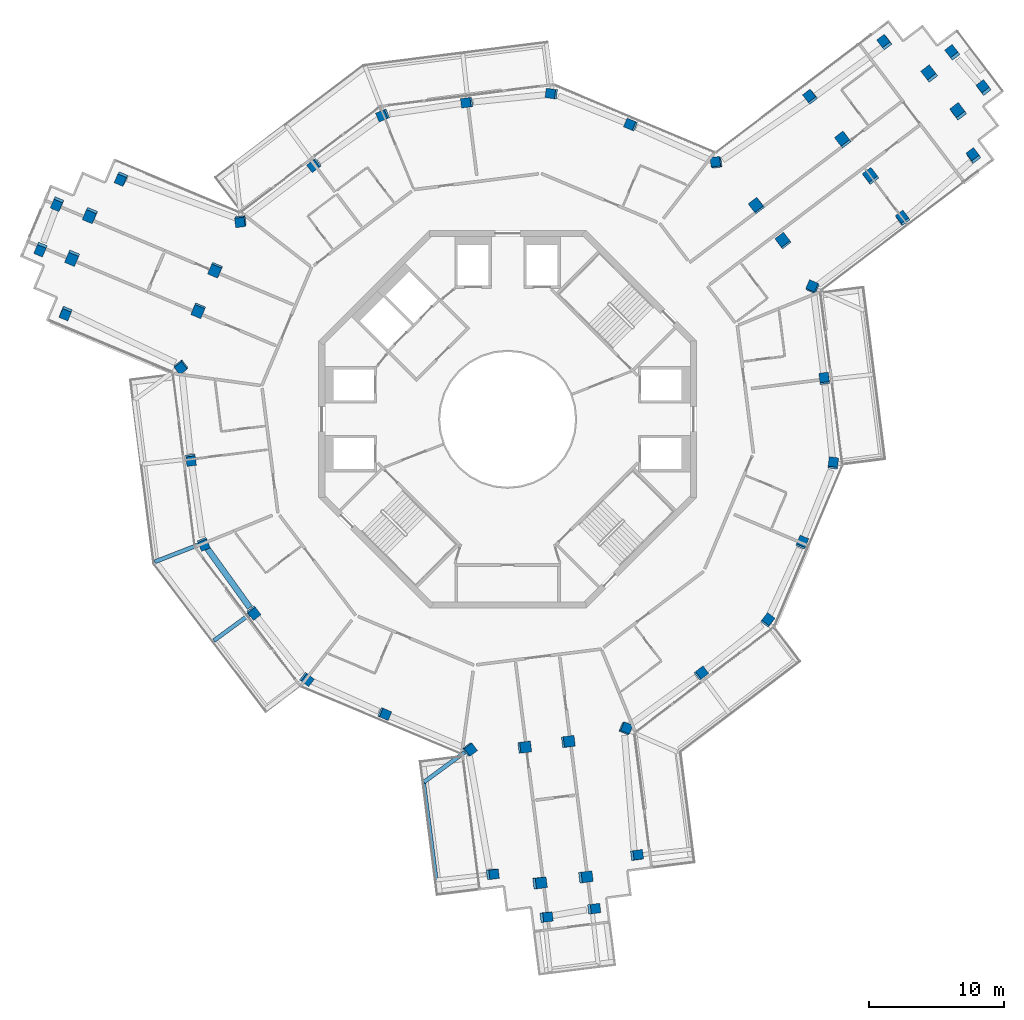
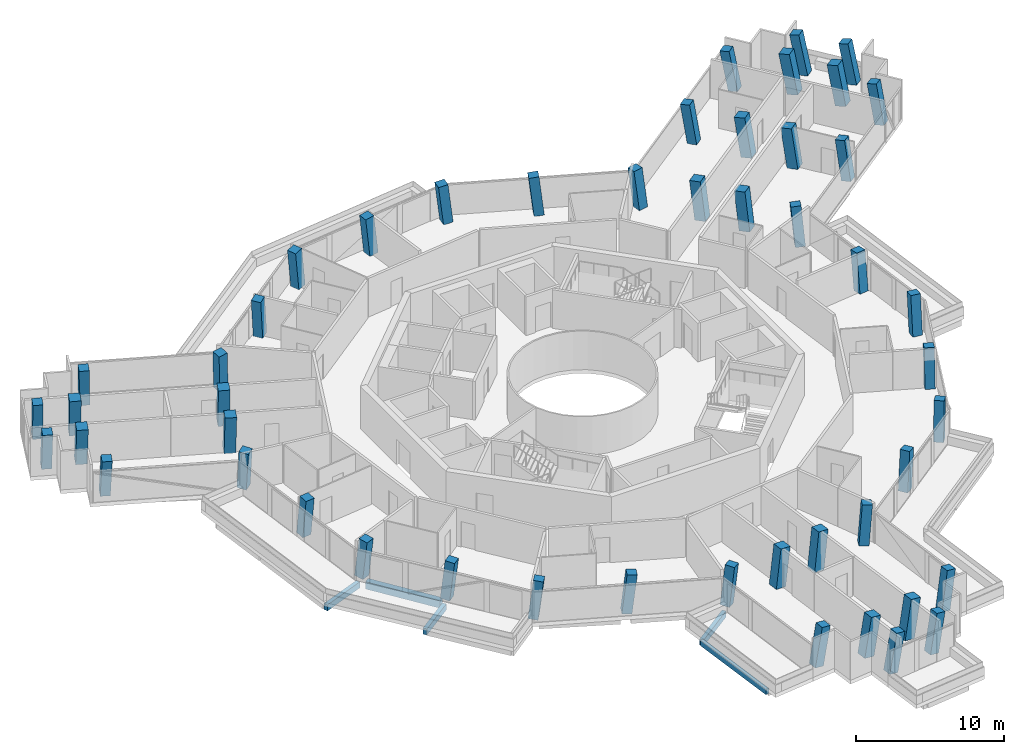
# One storey, part 1 of 26: 49 columns, 5 beams.
"""IFC4 building model written with IfcOpenShell, lengths in metres."""

from ifc_helpers import new_model, si_unit, direction, frame, origin, origin_2d, place, context, subcontext, project, spatial, rectangle, extrude, material, material_profile, profile_set, type_object, element, save


model = new_model("IFC4")

# Units and contexts
model_context = context("Model", 3, precision=1e-05, world=origin(), true_north=direction((0.0, 1.0)))
body_context = subcontext(model_context, "Body", "Model", "MODEL_VIEW")
ifc_project = project(units=[si_unit("LENGTHUNIT", "METRE"), si_unit("AREAUNIT", "SQUARE_METRE"), si_unit("VOLUMEUNIT", "CUBIC_METRE"), si_unit("PLANEANGLEUNIT", "RADIAN"), si_unit("MASSUNIT", "GRAM", prefix="KILO")], contexts=[model_context])

# Site, building, storey
site_placement = place(None, origin())
site = spatial("IfcSite", under=ifc_project, at=site_placement, CompositionType="ELEMENT")
building_placement = place(site_placement, origin())
building = spatial("IfcBuilding", under=site, at=building_placement, Name="Verdalira Terraces Hotel", CompositionType="ELEMENT")
storey_placement = place(building_placement, frame((0.0, 0.0, 306.5)))
storey = spatial("IfcBuildingStorey", under=building, at=storey_placement, Name="L76", CompositionType="ELEMENT", Elevation=306.5)

# Columns
ifc_material_1 = material(Name="Concrete C50", Category="concrete")
ifc_material_profile_1 = material_profile(ifc_material_1, rectangle(XDim=0.699951, YDim=0.699951, at=origin_2d()), Name="RC 700X700")
ifc_profile_set_1 = profile_set([ifc_material_profile_1], Name="Concrete C50")
column_type_1 = type_object("IfcColumnType", Name="Column RC 700X700 C50", PredefinedType="COLUMN", material=ifc_profile_set_1)
column_1_placement = place(storey_placement, frame((-28.588379, 17.885986, 0.0), z_axis=(-0.089741972, -0.133253232, 0.987010615), x_axis=(-0.919439423, 0.392033724, -0.030670943)))
element("IfcColumn", 1, at=column_1_placement, inside=storey, type_object=column_type_1, Name="Column C01", PredefinedType="COLUMN", context=body_context, shape_type="SweptSolid", body=[
    extrude(rectangle(XDim=0.699951, YDim=0.699951, at=origin_2d()), origin(), (0.0, 0.0, 1.0), 3.231934),
])
column_2_placement = place(storey_placement, frame((-32.729004, 7.932861, 0.0), z_axis=(-0.042545473, -0.152498694, 0.987387478), x_axis=(0.922857355, -0.384640757, -0.01964154)))
element("IfcColumn", 2, at=column_2_placement, inside=storey, type_object=column_type_1, Name="Column C02", PredefinedType="COLUMN", context=body_context, shape_type="SweptSolid", body=[
    extrude(rectangle(XDim=0.699951, YDim=0.699951, at=origin_2d()), origin(), (0.0, 0.0, 1.0), 3.230713),
])
column_3_placement = place(storey_placement, frame((-24.201172, 3.925049, 0.0), z_axis=(-0.017634942, -0.115235223, 0.993181681), x_axis=(-0.608468892, 0.789454253, 0.0807935)))
element("IfcColumn", 3, at=column_3_placement, inside=storey, type_object=column_type_1, Name="Column C03", PredefinedType="COLUMN", context=body_context, shape_type="SweptSolid", body=[
    extrude(rectangle(XDim=0.699951, YDim=0.699951, at=origin_2d()), origin(), (0.0, 0.0, 1.0), 3.211914),
])
column_4_placement = place(storey_placement, frame((-23.47168, -2.965088, 0.0), z_axis=(0.014981476, -0.111562563, 0.993644479), x_axis=(0.123885828, -0.985891755, -0.112559981)))
element("IfcColumn", 4, at=column_4_placement, inside=storey, type_object=column_type_1, Name="Column C04", PredefinedType="COLUMN", context=body_context, shape_type="SweptSolid", body=[
    extrude(rectangle(XDim=0.699951, YDim=0.699951, at=origin_2d()), origin(), (0.0, 0.0, 1.0), 3.210449),
])
column_5_placement = place(storey_placement, frame((-22.543213, -9.199707, 0.0), z_axis=(0.044699629, -0.106807786, 0.993274403), x_axis=(-0.375670486, 0.91949262, 0.115779992)))
element("IfcColumn", 5, at=column_5_placement, inside=storey, type_object=column_type_1, Name="Column C05", PredefinedType="COLUMN", context=body_context, shape_type="SweptSolid", body=[
    extrude(rectangle(XDim=0.699951, YDim=0.699951, at=origin_2d()), origin(), (0.0, 0.0, 1.0), 3.211426),
])
column_6_placement = place(storey_placement, frame((-18.844482, -14.303711, 0.0), z_axis=(0.068747968, -0.089052954, 0.993651492), x_axis=(0.600506692, -0.791666534, -0.112498053)))
element("IfcColumn", 6, at=column_6_placement, inside=storey, type_object=column_type_1, Name="Column C06", PredefinedType="COLUMN", context=body_context, shape_type="SweptSolid", body=[
    extrude(rectangle(XDim=0.699951, YDim=0.699951, at=origin_2d()), origin(), (0.0, 0.0, 1.0), 3.210205),
])
column_7_placement = place(storey_placement, frame((-14.923096, -19.23877, 0.0), z_axis=(0.092135676, -0.07016603, 0.993271235), x_axis=(-0.785076565, 0.608476364, 0.11580717)))
element("IfcColumn", 7, at=column_7_placement, inside=storey, type_object=column_type_1, Name="Column C07", PredefinedType="COLUMN", context=body_context, shape_type="SweptSolid", body=[
    extrude(rectangle(XDim=0.699951, YDim=0.699951, at=origin_2d()), origin(), (0.0, 0.0, 1.0), 3.21167),
])
column_8_placement = place(storey_placement, frame((-9.167969, -21.809814, 0.0), z_axis=(0.104110118, -0.042739143, 0.993647044), x_axis=(0.915971714, -0.385137856, -0.11253733)))
element("IfcColumn", 8, at=column_8_placement, inside=storey, type_object=column_type_1, Name="Column C08", PredefinedType="COLUMN", context=body_context, shape_type="SweptSolid", body=[
    extrude(rectangle(XDim=0.699951, YDim=0.699951, at=origin_2d()), origin(), (0.0, 0.0, 1.0), 3.210449),
])
column_9_placement = place(storey_placement, frame((-2.856445, -24.462891, 0.0), z_axis=(0.116368879, -0.012617396, 0.993125916), x_axis=(-0.59706483, 0.798183786, 0.08010139)))
element("IfcColumn", 9, at=column_9_placement, inside=storey, type_object=column_type_1, Name="Column C09", PredefinedType="COLUMN", context=body_context, shape_type="SweptSolid", body=[
    extrude(rectangle(XDim=0.699951, YDim=0.699951, at=origin_2d()), origin(), (0.0, 0.0, 1.0), 3.211914),
])
column_10_placement = place(storey_placement, frame((-1.195557, -33.701416, 0.0), z_axis=(0.160296023, -0.01110439, 0.987006523), x_axis=(0.120143127, -0.992282534, -0.030675742)))
element("IfcColumn", 10, at=column_10_placement, inside=storey, type_object=column_type_1, Name="Column C10", PredefinedType="COLUMN", context=body_context, shape_type="SweptSolid", body=[
    extrude(rectangle(XDim=0.699951, YDim=0.699951, at=origin_2d()), origin(), (0.0, 0.0, 1.0), 3.231934),
])
column_11_placement = place(storey_placement, frame((2.775391, -36.888916, 0.0), z_axis=(0.174674077, 0.007836973, 0.984595119), x_axis=(0.97659799, 0.126056631, -0.174258689)))
element("IfcColumn", 11, at=column_11_placement, inside=storey, type_object=column_type_1, Name="Column C11", PredefinedType="COLUMN", context=body_context, shape_type="SweptSolid", body=[
    extrude(rectangle(XDim=0.699951, YDim=0.699951, at=origin_2d()), origin(), (0.0, 0.0, 1.0), 3.239746),
])
column_12_placement = place(storey_placement, frame((6.306885, -36.281494, 0.0), z_axis=(0.171776732, 0.024421089, 0.984833166), x_axis=(0.977145358, 0.122845175, -0.173482023)))
element("IfcColumn", 12, at=column_12_placement, inside=storey, type_object=column_type_1, Name="Column C12", PredefinedType="COLUMN", context=body_context, shape_type="SweptSolid", body=[
    extrude(rectangle(XDim=0.699951, YDim=0.699951, at=origin_2d()), origin(), (0.0, 0.0, 1.0), 3.239014),
])
column_13_placement = place(storey_placement, frame((9.494385, -32.310791, 0.0), z_axis=(0.153329941, 0.039447131, 0.987387388), x_axis=(-0.128598752, 0.991502178, -0.019641609)))
element("IfcColumn", 13, at=column_13_placement, inside=storey, type_object=column_type_1, Name="Column C13", PredefinedType="COLUMN", context=body_context, shape_type="SweptSolid", body=[
    extrude(rectangle(XDim=0.699951, YDim=0.699951, at=origin_2d()), origin(), (0.0, 0.0, 1.0), 3.230713),
])
column_14_placement = place(storey_placement, frame((8.701416, -22.921387, 0.0), z_axis=(0.108622054, 0.042339037, 0.993181079), x_axis=(-0.3795216, -0.921648084, 0.080797057)))
element("IfcColumn", 14, at=column_14_placement, inside=storey, type_object=column_type_1, Name="Column C14", PredefinedType="COLUMN", context=body_context, shape_type="SweptSolid", body=[
    extrude(rectangle(XDim=0.699951, YDim=0.699951, at=origin_2d()), origin(), (0.0, 0.0, 1.0), 3.211914),
])
column_15_placement = place(storey_placement, frame((14.303711, -18.844482, 0.0), z_axis=(0.089052954, 0.068747968, 0.993651492), x_axis=(0.791666534, 0.600506692, -0.112498053)))
element("IfcColumn", 15, at=column_15_placement, inside=storey, type_object=column_type_1, Name="Column C15", PredefinedType="COLUMN", context=body_context, shape_type="SweptSolid", body=[
    extrude(rectangle(XDim=0.699951, YDim=0.699951, at=origin_2d()), origin(), (0.0, 0.0, 1.0), 3.210205),
])
column_16_placement = place(storey_placement, frame((19.23877, -14.923096, 0.0), z_axis=(0.07016603, 0.092135676, 0.993271235), x_axis=(-0.608476364, -0.785076565, 0.11580717)))
element("IfcColumn", 16, at=column_16_placement, inside=storey, type_object=column_type_1, Name="Column C16", PredefinedType="COLUMN", context=body_context, shape_type="SweptSolid", body=[
    extrude(rectangle(XDim=0.699951, YDim=0.699951, at=origin_2d()), origin(), (0.0, 0.0, 1.0), 3.21167),
])
column_17_placement = place(storey_placement, frame((21.809814, -9.167969, 0.0), z_axis=(0.042739143, 0.104110118, 0.993647044), x_axis=(0.385137856, 0.915971714, -0.11253733)))
element("IfcColumn", 17, at=column_17_placement, inside=storey, type_object=column_type_1, Name="Column C17", PredefinedType="COLUMN", context=body_context, shape_type="SweptSolid", body=[
    extrude(rectangle(XDim=0.699951, YDim=0.699951, at=origin_2d()), origin(), (0.0, 0.0, 1.0), 3.210449),
])
column_18_placement = place(storey_placement, frame((24.122803, -3.304443, 0.0), z_axis=(0.014747795, 0.114865555, 0.993271568), x_axis=(-0.134849795, -0.984075654, 0.115804315)))
element("IfcColumn", 18, at=column_18_placement, inside=storey, type_object=column_type_1, Name="Column C18", PredefinedType="COLUMN", context=body_context, shape_type="SweptSolid", body=[
    extrude(rectangle(XDim=0.699951, YDim=0.699951, at=origin_2d()), origin(), (0.0, 0.0, 1.0), 3.21167),
])
column_19_placement = place(storey_placement, frame((23.47168, 2.965088, 0.0), z_axis=(-0.014981476, 0.111562563, 0.993644479), x_axis=(-0.123885828, 0.985891755, -0.112559981)))
element("IfcColumn", 19, at=column_19_placement, inside=storey, type_object=column_type_1, Name="Column C19", PredefinedType="COLUMN", context=body_context, shape_type="SweptSolid", body=[
    extrude(rectangle(XDim=0.699951, YDim=0.699951, at=origin_2d()), origin(), (0.0, 0.0, 1.0), 3.210449),
])
column_20_placement = place(storey_placement, frame((22.61377, 9.757568, 0.0), z_axis=(-0.047276759, 0.107170788, 0.99311597), x_axis=(-0.392843879, -0.916104908, 0.080159117)))
element("IfcColumn", 20, at=column_20_placement, inside=storey, type_object=column_type_1, Name="Column C20", PredefinedType="COLUMN", context=body_context, shape_type="SweptSolid", body=[
    extrude(rectangle(XDim=0.699951, YDim=0.699951, at=origin_2d()), origin(), (0.0, 0.0, 1.0), 3.212158),
])
column_21_placement = place(storey_placement, frame((29.308594, 14.839355, 0.0), z_axis=(-0.068642579, 0.140082267, 0.98775764), x_axis=(0.798935705, 0.600684264, -0.029667406)))
element("IfcColumn", 21, at=column_21_placement, inside=storey, type_object=column_type_1, Name="Column C21", PredefinedType="COLUMN", context=body_context, shape_type="SweptSolid", body=[
    extrude(rectangle(XDim=0.699951, YDim=0.699951, at=origin_2d()), origin(), (0.0, 0.0, 1.0), 3.229492),
])
column_22_placement = place(storey_placement, frame((34.563232, 19.443115, 0.0), z_axis=(-0.087430321, 0.165914633, 0.982256725), x_axis=(0.799613376, 0.599758664, -0.030132942)))
element("IfcColumn", 22, at=column_22_placement, inside=storey, type_object=column_type_1, Name="Column C22", PredefinedType="COLUMN", context=body_context, shape_type="SweptSolid", body=[
    extrude(rectangle(XDim=0.699951, YDim=0.699951, at=origin_2d()), origin(), (0.0, 0.0, 1.0), 3.247559),
])
column_23_placement = place(storey_placement, frame((35.338379, 24.475586, 0.0), z_axis=(-0.11086078, 0.168877172, 0.979382657), x_axis=(-0.594614562, 0.778346665, -0.201519208)))
element("IfcColumn", 23, at=column_23_placement, inside=storey, type_object=column_type_1, Name="Column C23", PredefinedType="COLUMN", context=body_context, shape_type="SweptSolid", body=[
    extrude(rectangle(XDim=0.699951, YDim=0.699951, at=origin_2d()), origin(), (0.0, 0.0, 1.0), 3.25708),
])
column_24_placement = place(storey_placement, frame((33.0271, 27.090088, 0.0), z_axis=(-0.122973772, 0.158066287, 0.979741037), x_axis=(-0.591630531, 0.780943122, -0.20025273)))
element("IfcColumn", 24, at=column_24_placement, inside=storey, type_object=column_type_1, Name="Column C24", PredefinedType="COLUMN", context=body_context, shape_type="SweptSolid", body=[
    extrude(rectangle(XDim=0.699951, YDim=0.699951, at=origin_2d()), origin(), (0.0, 0.0, 1.0), 3.255859),
])
column_25_placement = place(storey_placement, frame((27.994629, 27.865234, 0.0), z_axis=(-0.126882428, 0.134779674, 0.982718316), x_axis=(-0.794124209, -0.607451492, -0.019220455)))
element("IfcColumn", 25, at=column_25_placement, inside=storey, type_object=column_type_1, Name="Column C25", PredefinedType="COLUMN", context=body_context, shape_type="SweptSolid", body=[
    extrude(rectangle(XDim=0.699951, YDim=0.699951, at=origin_2d()), origin(), (0.0, 0.0, 1.0), 3.246094),
])
column_26_placement = place(storey_placement, frame((22.476807, 23.840088, 0.0), z_axis=(-0.111003796, 0.107449859, 0.987994274), x_axis=(-0.793991662, -0.607488115, -0.023139381)))
element("IfcColumn", 26, at=column_26_placement, inside=storey, type_object=column_type_1, Name="Column C26", PredefinedType="COLUMN", context=body_context, shape_type="SweptSolid", body=[
    extrude(rectangle(XDim=0.699951, YDim=0.699951, at=origin_2d()), origin(), (0.0, 0.0, 1.0), 3.22876),
])
column_27_placement = place(storey_placement, frame((15.499756, 18.996338, 0.0), z_axis=(-0.090987071, 0.072896074, 0.993180505), x_axis=(0.987921086, 0.132224112, 0.080800445)))
element("IfcColumn", 27, at=column_27_placement, inside=storey, type_object=column_type_1, Name="Column C27", PredefinedType="COLUMN", context=body_context, shape_type="SweptSolid", body=[
    extrude(rectangle(XDim=0.699951, YDim=0.699951, at=origin_2d()), origin(), (0.0, 0.0, 1.0), 3.211914),
])
column_28_placement = place(storey_placement, frame((9.167969, 21.809814, 0.0), z_axis=(-0.104110118, 0.042739143, 0.993647044), x_axis=(-0.915971714, 0.385137856, -0.11253733)))
element("IfcColumn", 28, at=column_28_placement, inside=storey, type_object=column_type_1, Name="Column C28", PredefinedType="COLUMN", context=body_context, shape_type="SweptSolid", body=[
    extrude(rectangle(XDim=0.699951, YDim=0.699951, at=origin_2d()), origin(), (0.0, 0.0, 1.0), 3.210449),
])
column_29_placement = place(storey_placement, frame((3.304443, 24.122803, 0.0), z_axis=(-0.114865555, 0.014747795, 0.993271568), x_axis=(0.984075654, -0.134849795, 0.115804315)))
element("IfcColumn", 29, at=column_29_placement, inside=storey, type_object=column_type_1, Name="Column C29", PredefinedType="COLUMN", context=body_context, shape_type="SweptSolid", body=[
    extrude(rectangle(XDim=0.699951, YDim=0.699951, at=origin_2d()), origin(), (0.0, 0.0, 1.0), 3.21167),
])
column_30_placement = place(storey_placement, frame((-2.965088, 23.47168, 0.0), z_axis=(-0.111562563, -0.014981476, 0.993644479), x_axis=(-0.985891755, -0.123885828, -0.112559981)))
element("IfcColumn", 30, at=column_30_placement, inside=storey, type_object=column_type_1, Name="Column C30", PredefinedType="COLUMN", context=body_context, shape_type="SweptSolid", body=[
    extrude(rectangle(XDim=0.699951, YDim=0.699951, at=origin_2d()), origin(), (0.0, 0.0, 1.0), 3.210449),
])
column_31_placement = place(storey_placement, frame((-9.199707, 22.543213, 0.0), z_axis=(-0.106807786, -0.044699629, 0.993274403), x_axis=(0.91949262, 0.375670486, 0.115779992)))
element("IfcColumn", 31, at=column_31_placement, inside=storey, type_object=column_type_1, Name="Column C31", PredefinedType="COLUMN", context=body_context, shape_type="SweptSolid", body=[
    extrude(rectangle(XDim=0.699951, YDim=0.699951, at=origin_2d()), origin(), (0.0, 0.0, 1.0), 3.211426),
])
column_32_placement = place(storey_placement, frame((-14.303711, 18.844482, 0.0), z_axis=(-0.089052954, -0.068747968, 0.993651492), x_axis=(-0.791666534, -0.600506692, -0.112498053)))
element("IfcColumn", 32, at=column_32_placement, inside=storey, type_object=column_type_1, Name="Column C32", PredefinedType="COLUMN", context=body_context, shape_type="SweptSolid", body=[
    extrude(rectangle(XDim=0.699951, YDim=0.699951, at=origin_2d()), origin(), (0.0, 0.0, 1.0), 3.210205),
])
column_33_placement = place(storey_placement, frame((-19.75708, 14.705078, 0.0), z_axis=(-0.069167329, -0.094478011, 0.993121234), x_axis=(0.989818421, 0.117638875, 0.080128569)))
element("IfcColumn", 33, at=column_33_placement, inside=storey, type_object=column_type_1, Name="Column C33", PredefinedType="COLUMN", context=body_context, shape_type="SweptSolid", body=[
    extrude(rectangle(XDim=0.699951, YDim=0.699951, at=origin_2d()), origin(), (0.0, 0.0, 1.0), 3.212158),
])
column_34_placement = place(storey_placement, frame((-33.334473, 16.041016, 0.0), z_axis=(-0.080554489, -0.155231288, 0.984588351), x_axis=(-0.379051027, -0.908812957, -0.174296666)))
element("IfcColumn", 34, at=column_34_placement, inside=storey, type_object=column_type_1, Name="Column C34", PredefinedType="COLUMN", context=body_context, shape_type="SweptSolid", body=[
    extrude(rectangle(XDim=0.699951, YDim=0.699951, at=origin_2d()), origin(), (0.0, 0.0, 1.0), 3.23999),
])
column_35_placement = place(storey_placement, frame((-34.574219, 12.678711, 0.0), z_axis=(-0.06467069, -0.160998361, 0.984833605), x_axis=(-0.381805401, -0.907815779, -0.17347953)))
element("IfcColumn", 35, at=column_35_placement, inside=storey, type_object=column_type_1, Name="Column C35", PredefinedType="COLUMN", context=body_context, shape_type="SweptSolid", body=[
    extrude(rectangle(XDim=0.699951, YDim=0.699951, at=origin_2d()), origin(), (0.0, 0.0, 1.0), 3.239014),
])
ifc_material_2 = material(Name="Concrete C50", Category="concrete")
ifc_material_profile_2 = material_profile(ifc_material_2, rectangle(XDim=0.800049, YDim=0.800049, at=origin_2d()), Name="RC 800X800")
ifc_profile_set_2 = profile_set([ifc_material_profile_2], Name="Concrete C50")
column_type_2 = type_object("IfcColumnType", Name="Column RC 800X800 C50", PredefinedType="COLUMN", material=ifc_profile_set_2)
for number, where, z_axis, x_axis, name in (
    (36, (-21.643555, 11.111816, 0.0), (-0.05192206, -0.103387996, 0.993284965), (-0.921686987, 0.387855801, -0.007808688), "Column C36"),
    (37, (-22.905518, 8.109863, 0.0), (-0.037630852, -0.109243505, 0.993302459), (-0.922243518, 0.386535318, 0.00757238), "Column C37"),
):
    element("IfcColumn", number, at=place(storey_placement, frame(where, z_axis=z_axis, x_axis=x_axis)), inside=storey, type_object=column_type_2, Name=name, PredefinedType="COLUMN", context=body_context, shape_type="SweptSolid", body=[
        extrude(rectangle(XDim=0.800049, YDim=0.800049, at=origin_2d()), origin(), (0.0, 0.0, 1.0), 3.211426),
    ])
column_36_placement = place(storey_placement, frame((-30.904541, 15.189209, 0.0), z_axis=(-0.076866396, -0.144067862, 0.986577928), x_axis=(-0.920790811, 0.389775021, -0.014822769)))
element("IfcColumn", 38, at=column_36_placement, inside=storey, type_object=column_type_2, Name="Column C38", PredefinedType="COLUMN", context=body_context, shape_type="SweptSolid", body=[
    extrude(rectangle(XDim=0.800049, YDim=0.800049, at=origin_2d()), origin(), (0.0, 0.0, 1.0), 3.233398),
])
column_37_placement = place(storey_placement, frame((-32.232422, 12.030518, 0.0), z_axis=(-0.06184925, -0.150205321, 0.986718314), x_axis=(-0.921997403, 0.387194356, 0.001149066)))
element("IfcColumn", 39, at=column_37_placement, inside=storey, type_object=column_type_2, Name="Column C39", PredefinedType="COLUMN", context=body_context, shape_type="SweptSolid", body=[
    extrude(rectangle(XDim=0.800049, YDim=0.800049, at=origin_2d()), origin(), (0.0, 0.0, 1.0), 3.23291),
])
for number, where, z_axis, x_axis, name in (
    (40, (1.198486, -24.299805, 0.0), (0.115550603, 0.006689772, 0.993279067), (0.124595091, -0.992176917, -0.007812105), "Column C40"),
    (41, (4.429199, -23.891602, 0.0), (0.113499698, 0.022046157, 0.993293404), (0.126362788, -0.991955154, 0.00757748), "Column C41"),
):
    element("IfcColumn", number, at=place(storey_placement, frame(where, z_axis=z_axis, x_axis=x_axis)), inside=storey, type_object=column_type_2, Name=name, PredefinedType="COLUMN", context=body_context, shape_type="SweptSolid", body=[
        extrude(rectangle(XDim=0.800049, YDim=0.800049, at=origin_2d()), origin(), (0.0, 0.0, 1.0), 3.211426),
    ])
column_38_placement = place(storey_placement, frame((2.298096, -34.358887, 0.0), z_axis=(0.163171916, 0.005512055, 0.986582254), x_axis=(0.123128068, -0.992280119, -0.014820397)))
element("IfcColumn", 42, at=column_38_placement, inside=storey, type_object=column_type_2, Name="Column C42", PredefinedType="COLUMN", context=body_context, shape_type="SweptSolid", body=[
    extrude(rectangle(XDim=0.800049, YDim=0.800049, at=origin_2d()), origin(), (0.0, 0.0, 1.0), 3.233398),
])
column_39_placement = place(storey_placement, frame((5.69751, -33.929199, 0.0), z_axis=(0.161004765, 0.021447164, 0.986720571), x_axis=(0.125119888, -0.992140965, 0.001148969)))
element("IfcColumn", 43, at=column_39_placement, inside=storey, type_object=column_type_2, Name="Column C43", PredefinedType="COLUMN", context=body_context, shape_type="SweptSolid", body=[
    extrude(rectangle(XDim=0.800049, YDim=0.800049, at=origin_2d()), origin(), (0.0, 0.0, 1.0), 3.23291),
])
for number, where, z_axis, x_axis, name in (
    (44, (20.444824, 13.187988, 0.0), (-0.063477816, 0.096623119, 0.99329479), (0.7970576, 0.603852875, -0.007802993), "Column C44"),
    (45, (18.476074, 15.781738, 0.0), (-0.075793941, 0.087197242, 0.993303539), (0.795817034, 0.605489815, 0.007571771), "Column C45"),
):
    element("IfcColumn", number, at=place(storey_placement, frame(where, z_axis=z_axis, x_axis=x_axis)), inside=storey, type_object=column_type_2, Name=name, PredefinedType="COLUMN", context=body_context, shape_type="SweptSolid", body=[
        extrude(rectangle(XDim=0.800049, YDim=0.800049, at=origin_2d()), origin(), (0.0, 0.0, 1.0), 3.211426),
    ])
column_40_placement = place(storey_placement, frame((26.945801, 17.952393, 0.0), z_axis=(-0.083341865, 0.128869816, 0.988153178), x_axis=(0.797459891, 0.603263953, -0.011415963)))
element("IfcColumn", 46, at=column_40_placement, inside=storey, type_object=column_type_2, Name="Column C46", PredefinedType="COLUMN", context=body_context, shape_type="SweptSolid", body=[
    extrude(rectangle(XDim=0.800049, YDim=0.800049, at=origin_2d()), origin(), (0.0, 0.0, 1.0), 3.228271),
])
column_41_placement = place(storey_placement, frame((24.89502, 20.654053, 0.0), z_axis=(-0.095979997, 0.119048475, 0.988238484), x_axis=(0.79618185, 0.605041109, 0.004440537)))
element("IfcColumn", 47, at=column_41_placement, inside=storey, type_object=column_type_2, Name="Column C47", PredefinedType="COLUMN", context=body_context, shape_type="SweptSolid", body=[
    extrude(rectangle(XDim=0.800049, YDim=0.800049, at=origin_2d()), origin(), (0.0, 0.0, 1.0), 3.228027),
])
column_42_placement = place(storey_placement, frame((33.446533, 22.717041, 0.0), z_axis=(-0.102780394, 0.160481668, 0.981672973), x_axis=(0.798111542, 0.60232533, -0.014905121)))
element("IfcColumn", 48, at=column_42_placement, inside=storey, type_object=column_type_2, Name="Column C48", PredefinedType="COLUMN", context=body_context, shape_type="SweptSolid", body=[
    extrude(rectangle(XDim=0.800049, YDim=0.800049, at=origin_2d()), origin(), (0.0, 0.0, 1.0), 3.249512),
])
column_43_placement = place(storey_placement, frame((31.314209, 25.526367, 0.0), z_axis=(-0.115944529, 0.150359691, 0.981808958), x_axis=(0.796207685, 0.605021855, 0.001369947)))
element("IfcColumn", 49, at=column_43_placement, inside=storey, type_object=column_type_2, Name="Column C49", PredefinedType="COLUMN", context=body_context, shape_type="SweptSolid", body=[
    extrude(rectangle(XDim=0.800049, YDim=0.800049, at=origin_2d()), origin(), (0.0, 0.0, 1.0), 3.249023),
])

# Beams
ifc_material_3 = material(Name="Concrete C40", Category="concrete")
ifc_material_profile_3 = material_profile(ifc_material_3, rectangle(XDim=0.300049, YDim=0.5, at=origin_2d()), Name="RC 300X500")
ifc_profile_set_3 = profile_set([ifc_material_profile_3], Name="Concrete C40")
beam_type_1 = type_object("IfcBeamType", Name="Balcony cantilever beam RC 300X500 C40", PredefinedType="BEAM", material=ifc_profile_set_3)
beam_1_placement = place(storey_placement, frame((-19.147949, -14.482666, -0.560059), z_axis=(-0.806557785, -0.591155259, 0.0), x_axis=(0.591155259, -0.806557785, 0.0)))
element("IfcBeam", 50, at=beam_1_placement, inside=storey, type_object=beam_type_1, Name="Balcony cantilever beam R11-1", PredefinedType="BEAM", context=body_context, shape_type="SweptSolid", body=[
    extrude(rectangle(XDim=0.300049, YDim=0.5, at=origin_2d()), origin(), (0.0, 0.0, 1.0), 3.250732),
])
beam_2_placement = place(storey_placement, frame((-22.882812, -9.292969, -0.560059), z_axis=(-0.932076615, -0.362261208, 0.0), x_axis=(0.362261208, -0.932076615, 0.0)))
element("IfcBeam", 51, at=beam_2_placement, inside=storey, type_object=beam_type_1, Name="Balcony cantilever beam R11-5", PredefinedType="BEAM", context=body_context, shape_type="SweptSolid", body=[
    extrude(rectangle(XDim=0.300049, YDim=0.5, at=origin_2d()), origin(), (0.0, 0.0, 1.0), 3.501709),
])
beam_3_placement = place(storey_placement, frame((-3.175049, -24.665283, -0.560059), z_axis=(-0.80656616, -0.591143831, 0.0), x_axis=(0.591143831, -0.80656616, 0.0)))
element("IfcBeam", 52, at=beam_3_placement, inside=storey, type_object=beam_type_1, Name="Balcony cantilever beam R14-1", PredefinedType="BEAM", context=body_context, shape_type="SweptSolid", body=[
    extrude(rectangle(XDim=0.300049, YDim=0.5, at=origin_2d()), origin(), (0.0, 0.0, 1.0), 3.755859),
])
ifc_material_4 = material(Name="Concrete C40", Category="concrete")
ifc_material_profile_4 = material_profile(ifc_material_4, rectangle(XDim=0.25, YDim=0.449951, at=origin_2d()), Name="RC 250X450")
ifc_profile_set_4 = profile_set([ifc_material_profile_4], Name="Concrete C40")
beam_type_2 = type_object("IfcBeamType", Name="Balcony edge beam RC 250X450 C40", PredefinedType="BEAM", material=ifc_profile_set_4)
beam_4_placement = place(storey_placement, frame((-6.204346, -26.885498, -0.534912), z_axis=(0.128729269, -0.991679775, 0.0), x_axis=(0.991679775, 0.128729269, 0.0)))
element("IfcBeam", 53, at=beam_4_placement, inside=storey, type_object=beam_type_2, Name="Balcony edge beam R14-1", PredefinedType="BEAM", context=body_context, shape_type="SweptSolid", body=[
    extrude(rectangle(XDim=0.25, YDim=0.449951, at=origin_2d()), origin(), (0.0, 0.0, 1.0), 7.307373),
])
ifc_material_5 = material(Name="Concrete C40", Category="concrete")
ifc_material_profile_5 = material_profile(ifc_material_5, rectangle(XDim=0.449951, YDim=0.600098, at=origin_2d()), Name="RC 450X600")
ifc_profile_set_5 = profile_set([ifc_material_profile_5], Name="Concrete C40")
beam_type_3 = type_object("IfcBeamType", Name="Spandrel beam RC 450X600 C40", PredefinedType="SPANDREL", material=ifc_profile_set_5)
beam_5_placement = place(storey_placement, frame((-22.320068, -9.479736, -0.610107), z_axis=(0.584407186, -0.81146056, 0.0), x_axis=(0.81146056, 0.584407186, 0.0)))
element("IfcBeam", 54, at=beam_5_placement, inside=storey, type_object=beam_type_3, Name="Spandrel beam B06", PredefinedType="SPANDREL", context=body_context, shape_type="SweptSolid", body=[
    extrude(rectangle(XDim=0.449951, YDim=0.600098, at=origin_2d()), origin(), (0.0, 0.0, 1.0), 5.523682),
])

save(model, "model.ifc")
